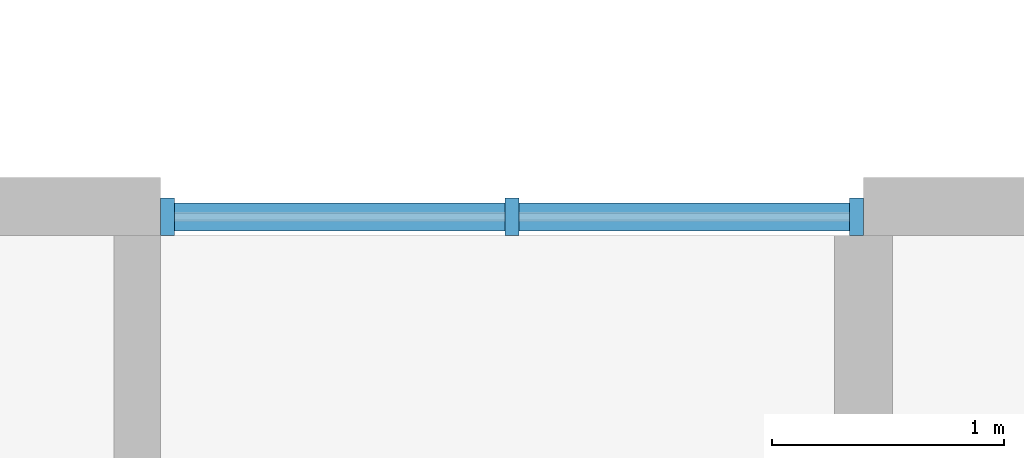
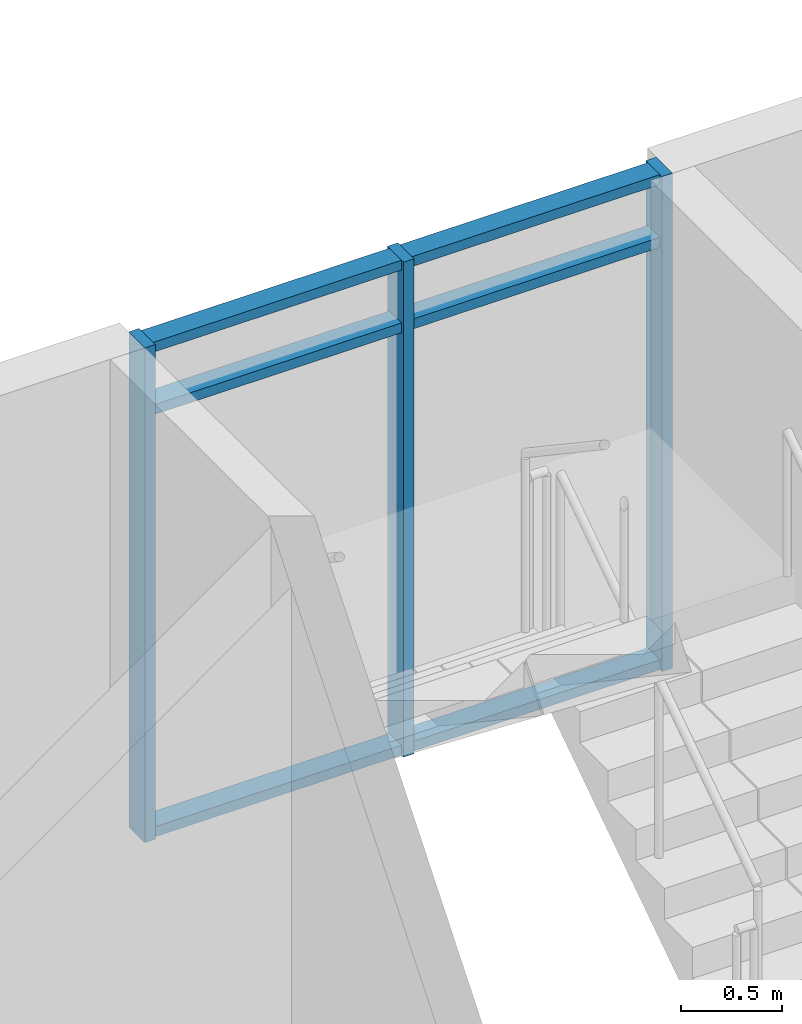
# One storey, part 13 of 100: 9 members, 1 element without a shape of its own.
"""IFC4 building model written with IfcOpenShell, lengths in metres."""

from ifc_helpers import new_model, si_unit, direction, frame, origin, origin_2d, place, context, subcontext, project, spatial, rectangle, extrude, material, material_profile, profile_set, type_object, element, aggregate, save


model = new_model("IFC4")

# Units and contexts
model_context = context("Model", 3, precision=1e-05, world=origin(), true_north=direction((0.0, 1.0)))
body_context = subcontext(model_context, "Body", "Model", "MODEL_VIEW")
ifc_project = project(units=[si_unit("LENGTHUNIT", "METRE"), si_unit("AREAUNIT", "SQUARE_METRE"), si_unit("VOLUMEUNIT", "CUBIC_METRE"), si_unit("PLANEANGLEUNIT", "RADIAN"), si_unit("MASSUNIT", "GRAM", prefix="KILO")], contexts=[model_context])

# Site, building, storey
site_placement = place(None, origin())
site = spatial("IfcSite", under=ifc_project, at=site_placement, CompositionType="ELEMENT")
building_placement = place(site_placement, origin())
building = spatial("IfcBuilding", under=site, at=building_placement, Name="Ridgestep Commons", CompositionType="ELEMENT")
storey_placement = place(building_placement, frame((0.0, 0.0, 9.0)))
storey = spatial("IfcBuildingStorey", under=building, at=storey_placement, Name="L03", CompositionType="ELEMENT", Elevation=9.0)

# Curtain wall, members
ifc_material_1 = material(Name="Aluminium 6063-T6 and glass", Category="aluminium")
curtain_wall_type = type_object("IfcCurtainWallType", Name="Curtain wall stair strip", PredefinedType="NOTDEFINED", material=ifc_material_1)
curtain_wall_placement = place(storey_placement, origin())
curtain_wall = element("IfcCurtainWall", 1, at=curtain_wall_placement, inside=storey, type_object=curtain_wall_type, Name="Curtain wall B6C level 03", PredefinedType="NOTDEFINED")
ifc_material_2 = material(Name="Aluminium 6063-T6", Category="aluminium")
ifc_material_profile_1 = material_profile(ifc_material_2, rectangle(XDim=0.159912109375, YDim=0.06005859375, at=origin_2d()), Name="Mullion 60 x 160")
ifc_profile_set_1 = profile_set([ifc_material_profile_1], Name="Aluminium 6063-T6")
member_type_1 = type_object("IfcMemberType", Name="Mullion 60 x 160", PredefinedType="MULLION", material=ifc_profile_set_1)
member_1_placement = place(storey_placement, frame((99.0048828125, 77.080078125, 0.0), z_axis=(0.0, 0.0, 1.0), x_axis=(0.0, 1.0, 0.0)))
member_1 = element("IfcMember", 2, at=member_1_placement, type_object=member_type_1, Name="CW1 mullion 1", PredefinedType="MULLION", context=body_context, shape_type="SweptSolid", body=[
    extrude(rectangle(XDim=0.159912109375, YDim=0.06005859375, at=origin_2d()), origin(), (0.0, 0.0, 1.0), 3.0),
])
member_2_placement = place(storey_placement, frame((100.487548828125, 77.080078125, 0.0), z_axis=(0.0, 0.0, 1.0), x_axis=(0.0, 1.0, 0.0)))
member_2 = element("IfcMember", 3, at=member_2_placement, type_object=member_type_1, Name="CW1 mullion 2", PredefinedType="MULLION", context=body_context, shape_type="SweptSolid", body=[
    extrude(rectangle(XDim=0.159912109375, YDim=0.06005859375, at=origin_2d()), origin(), (0.0, 0.0, 1.0), 3.0),
])
member_3_placement = place(storey_placement, frame((101.969970703125, 77.080078125, 0.0), z_axis=(0.0, 0.0, 1.0), x_axis=(0.0, 1.0, 0.0)))
member_3 = element("IfcMember", 4, at=member_3_placement, type_object=member_type_1, Name="CW1 mullion 3", PredefinedType="MULLION", context=body_context, shape_type="SweptSolid", body=[
    extrude(rectangle(XDim=0.159912109375, YDim=0.06005859375, at=origin_2d()), origin(), (0.0, 0.0, 1.0), 3.0),
])
ifc_material_3 = material(Name="Aluminium 6063-T6", Category="aluminium")
ifc_material_profile_2 = material_profile(ifc_material_3, rectangle(XDim=0.1201171875, YDim=0.06005859375, at=origin_2d()), Name="Transom 60 x 120")
ifc_profile_set_2 = profile_set([ifc_material_profile_2], Name="Aluminium 6063-T6")
member_type_2 = type_object("IfcMemberType", Name="Transom 60 x 120", PredefinedType="USERDEFINED", material=ifc_profile_set_2)
member_4_placement = place(storey_placement, frame((99.034912109375, 77.080078125, 0.030029296875), z_axis=(1.0, 0.0, 0.0), x_axis=(0.0, 1.0, 0.0)))
member_4 = element("IfcMember", 5, at=member_4_placement, type_object=member_type_2, Name="CW1 transom 1.1", ObjectType="TRANSOM", PredefinedType="USERDEFINED", context=body_context, shape_type="SweptSolid", body=[
    extrude(rectangle(XDim=0.1201171875, YDim=0.06005859375, at=origin_2d()), origin(), (0.0, 0.0, 1.0), 1.422607421875),
])
member_5_placement = place(storey_placement, frame((99.034912109375, 77.080078125, 2.590087890625), z_axis=(1.0, 0.0, 0.0), x_axis=(0.0, 1.0, 0.0)))
member_5 = element("IfcMember", 6, at=member_5_placement, type_object=member_type_2, Name="CW1 transom 1.2", ObjectType="TRANSOM", PredefinedType="USERDEFINED", context=body_context, shape_type="SweptSolid", body=[
    extrude(rectangle(XDim=0.1201171875, YDim=0.06005859375, at=origin_2d()), origin(), (0.0, 0.0, 1.0), 1.422607421875),
])
member_6_placement = place(storey_placement, frame((99.034912109375, 77.080078125, 2.969970703125), z_axis=(1.0, 0.0, 0.0), x_axis=(0.0, 1.0, 0.0)))
member_6 = element("IfcMember", 7, at=member_6_placement, type_object=member_type_2, Name="CW1 transom 1.3", ObjectType="TRANSOM", PredefinedType="USERDEFINED", context=body_context, shape_type="SweptSolid", body=[
    extrude(rectangle(XDim=0.1201171875, YDim=0.06005859375, at=origin_2d()), origin(), (0.0, 0.0, 1.0), 1.422607421875),
])
member_7_placement = place(storey_placement, frame((100.517578125, 77.080078125, 0.030029296875), z_axis=(1.0, 0.0, 0.0), x_axis=(0.0, 1.0, 0.0)))
member_7 = element("IfcMember", 8, at=member_7_placement, type_object=member_type_2, Name="CW1 transom 2.1", ObjectType="TRANSOM", PredefinedType="USERDEFINED", context=body_context, shape_type="SweptSolid", body=[
    extrude(rectangle(XDim=0.1201171875, YDim=0.06005859375, at=origin_2d()), origin(), (0.0, 0.0, 1.0), 1.42236328125),
])
member_8_placement = place(storey_placement, frame((100.517578125, 77.080078125, 2.590087890625), z_axis=(1.0, 0.0, 0.0), x_axis=(0.0, 1.0, 0.0)))
member_8 = element("IfcMember", 9, at=member_8_placement, type_object=member_type_2, Name="CW1 transom 2.2", ObjectType="TRANSOM", PredefinedType="USERDEFINED", context=body_context, shape_type="SweptSolid", body=[
    extrude(rectangle(XDim=0.1201171875, YDim=0.06005859375, at=origin_2d()), origin(), (0.0, 0.0, 1.0), 1.42236328125),
])
member_9_placement = place(storey_placement, frame((100.517578125, 77.080078125, 2.969970703125), z_axis=(1.0, 0.0, 0.0), x_axis=(0.0, 1.0, 0.0)))
member_9 = element("IfcMember", 10, at=member_9_placement, type_object=member_type_2, Name="CW1 transom 2.3", ObjectType="TRANSOM", PredefinedType="USERDEFINED", context=body_context, shape_type="SweptSolid", body=[
    extrude(rectangle(XDim=0.1201171875, YDim=0.06005859375, at=origin_2d()), origin(), (0.0, 0.0, 1.0), 1.42236328125),
])
aggregate(curtain_wall, [member_1, member_2, member_3, member_4, member_5, member_6, member_7, member_8, member_9])

save(model, "model.ifc")
